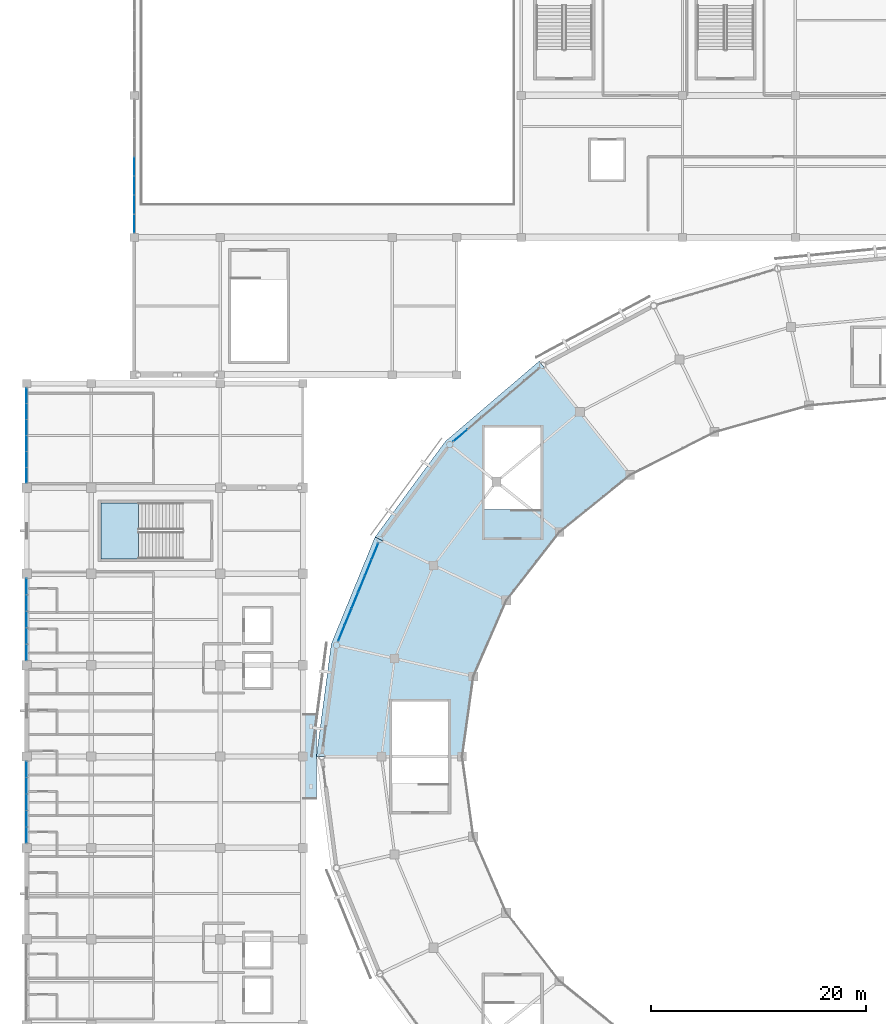
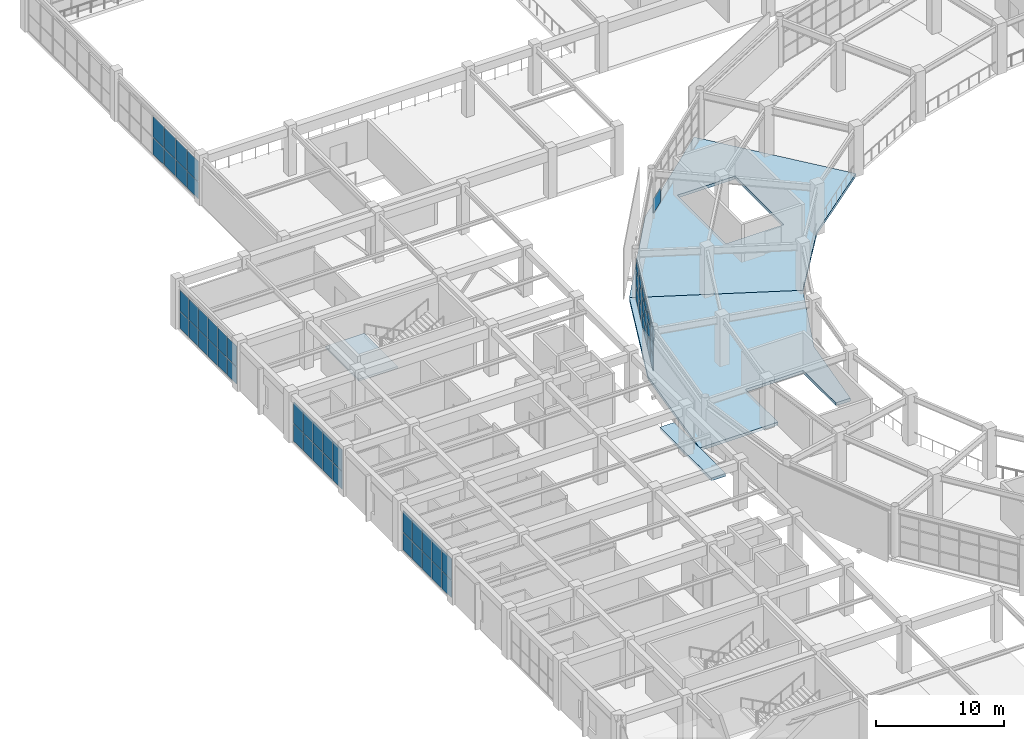
# One storey, part 70 of 112: 59 plates, 4 slabs, 7 elements without a shape of their own.
"""IFC4 building model written with IfcOpenShell, lengths in metres."""

from ifc_helpers import new_model, si_unit, direction, frame, origin, origin_2d, place, context, subcontext, project, spatial, polyline, rectangle, outline, extrude, material, layer, layer_set, type_object, element, aggregate, save


model = new_model("IFC4")

# Units and contexts
model_context = context("Model", 3, precision=1e-05, world=origin(), true_north=direction((0.0, 1.0)))
body_context = subcontext(model_context, "Body", "Model", "MODEL_VIEW")
ifc_project = project(units=[si_unit("LENGTHUNIT", "METRE"), si_unit("AREAUNIT", "SQUARE_METRE"), si_unit("VOLUMEUNIT", "CUBIC_METRE"), si_unit("PLANEANGLEUNIT", "RADIAN"), si_unit("MASSUNIT", "GRAM", prefix="KILO")], contexts=[model_context])

# Site, building, storey
site_placement = place(None, origin())
site = spatial("IfcSite", under=ifc_project, at=site_placement, CompositionType="ELEMENT")
building_placement = place(site_placement, origin())
building = spatial("IfcBuilding", under=site, at=building_placement, Name="Cuetzalor Civic Arena", CompositionType="ELEMENT")
storey_placement = place(building_placement, frame((0.0, 0.0, 11.39990234375)))
storey = spatial("IfcBuildingStorey", under=building, at=storey_placement, Name="L02", CompositionType="ELEMENT", Elevation=11.39990234375)

# Curtain wall, plate
ifc_material_1 = material(Name="Anodised dark bronze aluminium and low-E solar glass", Category="aluminium")
curtain_wall_type_1 = type_object("IfcCurtainWallType", Name="UnitisedCW_10550x4050", PredefinedType="USERDEFINED", material=ifc_material_1)
curtain_wall_1_placement = place(storey_placement, origin())
curtain_wall_1 = element("IfcCurtainWall", 1, at=curtain_wall_1_placement, inside=storey, type_object=curtain_wall_type_1, Name="Drum Triangle Foyer Curtain Wall L02-037", ObjectType="UNITISED CURTAIN WALL", PredefinedType="USERDEFINED")
ifc_material_2 = material(Name="Acoustic laminated solar control glass", Category="glass")
ifc_layer_1 = layer(ifc_material_2, 0.0439453125)
ifc_layer_set_1 = layer_set([ifc_layer_1], Name="Acoustic laminated solar control glass")
plate_type_1 = type_object("IfcPlateType", Name="AcousticTripleGlazedPanel_44", PredefinedType="CURTAIN_PANEL", material=ifc_layer_set_1)
plate_1_placement = place(storey_placement, frame((-41.655517578125, 29.87109375, 0.06494140625), z_axis=(0.0, 0.0, 1.0), x_axis=(0.760677142663, 0.64913040649, 0.0)))
plate_1 = element("IfcPlate", 2, at=plate_1_placement, type_object=plate_type_1, Name="CW-16 panel 1.1", PredefinedType="CURTAIN_PANEL", context=body_context, shape_type="SweptSolid", body=[
    extrude(rectangle(XDim=1.65771484375, YDim=0.0439453125, at=origin_2d()), origin(), (0.0, 0.0, 1.0), 1.361572265625),
])
aggregate(curtain_wall_1, [plate_1])

# Curtain wall, plates
ifc_material_3 = material(Name="Anodised dark bronze aluminium and low-E solar glass", Category="aluminium")
curtain_wall_type_2 = type_object("IfcCurtainWallType", Name="UnitisedCW_9850x4050", PredefinedType="USERDEFINED", material=ifc_material_3)
curtain_wall_2_placement = place(storey_placement, origin())
curtain_wall_2 = element("IfcCurtainWall", 3, at=curtain_wall_2_placement, inside=storey, type_object=curtain_wall_type_2, Name="Drum Triangle Foyer Curtain Wall L02-038", ObjectType="UNITISED CURTAIN WALL", PredefinedType="USERDEFINED")
plate_2_placement = place(storey_placement, frame((-52.719970703125, 11.486083984375, 0.06494140625), z_axis=(0.0, 0.0, 1.0), x_axis=(0.379391428583, 0.925236263836, 0.0)))
plate_2 = element("IfcPlate", 4, at=plate_2_placement, type_object=plate_type_1, Name="CW-17 panel 1.1", PredefinedType="CURTAIN_PANEL", context=body_context, shape_type="SweptSolid", body=[
    extrude(rectangle(XDim=1.548095703125, YDim=0.0439453125, at=origin_2d()), origin(), (0.0, 0.0, 1.0), 1.361572265625),
])
plate_3_placement = place(storey_placement, frame((-52.719970703125, 11.486083984375, 1.491455078125), z_axis=(0.0, 0.0, 1.0), x_axis=(0.379391428583, 0.925236263836, 0.0)))
plate_3 = element("IfcPlate", 5, at=plate_3_placement, type_object=plate_type_1, Name="CW-17 panel 1.2", PredefinedType="CURTAIN_PANEL", context=body_context, shape_type="SweptSolid", body=[
    extrude(rectangle(XDim=1.548095703125, YDim=0.0439453125, at=origin_2d()), origin(), (0.0, 0.0, 1.0), 1.39404296875),
])
plate_4_placement = place(storey_placement, frame((-52.719970703125, 11.486083984375, 2.950439453125), z_axis=(0.0, 0.0, 1.0), x_axis=(0.379391428583, 0.925236263836, 0.0)))
plate_4 = element("IfcPlate", 6, at=plate_4_placement, type_object=plate_type_1, Name="CW-17 panel 1.3", PredefinedType="CURTAIN_PANEL", context=body_context, shape_type="SweptSolid", body=[
    extrude(rectangle(XDim=1.548095703125, YDim=0.0439453125, at=origin_2d()), origin(), (0.0, 0.0, 1.0), 1.03759765625),
])
plate_5_placement = place(storey_placement, frame((-52.1015625, 12.993896484375, 0.06494140625), z_axis=(0.0, 0.0, 1.0), x_axis=(0.379391428583, 0.925236263836, 0.0)))
plate_5 = element("IfcPlate", 7, at=plate_5_placement, type_object=plate_type_1, Name="CW-17 panel 2.1", PredefinedType="CURTAIN_PANEL", context=body_context, shape_type="SweptSolid", body=[
    extrude(rectangle(XDim=1.580810546875, YDim=0.0439453125, at=origin_2d()), origin(), (0.0, 0.0, 1.0), 1.361572265625),
])
plate_6_placement = place(storey_placement, frame((-52.1015625, 12.993896484375, 1.491455078125), z_axis=(0.0, 0.0, 1.0), x_axis=(0.379391428583, 0.925236263836, 0.0)))
plate_6 = element("IfcPlate", 8, at=plate_6_placement, type_object=plate_type_1, Name="CW-17 panel 2.2", PredefinedType="CURTAIN_PANEL", context=body_context, shape_type="SweptSolid", body=[
    extrude(rectangle(XDim=1.580810546875, YDim=0.0439453125, at=origin_2d()), origin(), (0.0, 0.0, 1.0), 1.39404296875),
])
plate_7_placement = place(storey_placement, frame((-52.1015625, 12.993896484375, 2.950439453125), z_axis=(0.0, 0.0, 1.0), x_axis=(0.379391428583, 0.925236263836, 0.0)))
plate_7 = element("IfcPlate", 9, at=plate_7_placement, type_object=plate_type_1, Name="CW-17 panel 2.3", PredefinedType="CURTAIN_PANEL", context=body_context, shape_type="SweptSolid", body=[
    extrude(rectangle(XDim=1.580810546875, YDim=0.0439453125, at=origin_2d()), origin(), (0.0, 0.0, 1.0), 1.03759765625),
])
plate_8_placement = place(storey_placement, frame((-51.477294921875, 14.516357421875, 0.06494140625), z_axis=(0.0, 0.0, 1.0), x_axis=(0.379391428583, 0.925236263836, 0.0)))
plate_8 = element("IfcPlate", 10, at=plate_8_placement, type_object=plate_type_1, Name="CW-17 panel 3.1", PredefinedType="CURTAIN_PANEL", context=body_context, shape_type="SweptSolid", body=[
    extrude(rectangle(XDim=1.580810546875, YDim=0.0439453125, at=origin_2d()), origin(), (0.0, 0.0, 1.0), 1.361572265625),
])
plate_9_placement = place(storey_placement, frame((-51.477294921875, 14.516357421875, 1.491455078125), z_axis=(0.0, 0.0, 1.0), x_axis=(0.379391428583, 0.925236263836, 0.0)))
plate_9 = element("IfcPlate", 11, at=plate_9_placement, type_object=plate_type_1, Name="CW-17 panel 3.2", PredefinedType="CURTAIN_PANEL", context=body_context, shape_type="SweptSolid", body=[
    extrude(rectangle(XDim=1.580810546875, YDim=0.0439453125, at=origin_2d()), origin(), (0.0, 0.0, 1.0), 1.39404296875),
])
plate_10_placement = place(storey_placement, frame((-51.477294921875, 14.516357421875, 2.950439453125), z_axis=(0.0, 0.0, 1.0), x_axis=(0.379391428583, 0.925236263836, 0.0)))
plate_10 = element("IfcPlate", 12, at=plate_10_placement, type_object=plate_type_1, Name="CW-17 panel 3.3", PredefinedType="CURTAIN_PANEL", context=body_context, shape_type="SweptSolid", body=[
    extrude(rectangle(XDim=1.580810546875, YDim=0.0439453125, at=origin_2d()), origin(), (0.0, 0.0, 1.0), 1.03759765625),
])
plate_11_placement = place(storey_placement, frame((-50.85302734375, 16.0390625, 0.06494140625), z_axis=(0.0, 0.0, 1.0), x_axis=(0.379391428583, 0.925236263836, 0.0)))
plate_11 = element("IfcPlate", 13, at=plate_11_placement, type_object=plate_type_1, Name="CW-17 panel 4.1", PredefinedType="CURTAIN_PANEL", context=body_context, shape_type="SweptSolid", body=[
    extrude(rectangle(XDim=1.580810546875, YDim=0.0439453125, at=origin_2d()), origin(), (0.0, 0.0, 1.0), 1.361572265625),
])
plate_12_placement = place(storey_placement, frame((-50.85302734375, 16.0390625, 1.491455078125), z_axis=(0.0, 0.0, 1.0), x_axis=(0.379391428583, 0.925236263836, 0.0)))
plate_12 = element("IfcPlate", 14, at=plate_12_placement, type_object=plate_type_1, Name="CW-17 panel 4.2", PredefinedType="CURTAIN_PANEL", context=body_context, shape_type="SweptSolid", body=[
    extrude(rectangle(XDim=1.580810546875, YDim=0.0439453125, at=origin_2d()), origin(), (0.0, 0.0, 1.0), 1.39404296875),
])
plate_13_placement = place(storey_placement, frame((-50.85302734375, 16.0390625, 2.950439453125), z_axis=(0.0, 0.0, 1.0), x_axis=(0.379391428583, 0.925236263836, 0.0)))
plate_13 = element("IfcPlate", 15, at=plate_13_placement, type_object=plate_type_1, Name="CW-17 panel 4.3", PredefinedType="CURTAIN_PANEL", context=body_context, shape_type="SweptSolid", body=[
    extrude(rectangle(XDim=1.580810546875, YDim=0.0439453125, at=origin_2d()), origin(), (0.0, 0.0, 1.0), 1.03759765625),
])
plate_14_placement = place(storey_placement, frame((-50.228515625, 17.561767578125, 0.06494140625), z_axis=(0.0, 0.0, 1.0), x_axis=(0.379391428583, 0.925236263836, 0.0)))
plate_14 = element("IfcPlate", 16, at=plate_14_placement, type_object=plate_type_1, Name="CW-17 panel 5.1", PredefinedType="CURTAIN_PANEL", context=body_context, shape_type="SweptSolid", body=[
    extrude(rectangle(XDim=1.580810546875, YDim=0.0439453125, at=origin_2d()), origin(), (0.0, 0.0, 1.0), 1.361572265625),
])
plate_15_placement = place(storey_placement, frame((-50.228515625, 17.561767578125, 1.491455078125), z_axis=(0.0, 0.0, 1.0), x_axis=(0.379391428583, 0.925236263836, 0.0)))
plate_15 = element("IfcPlate", 17, at=plate_15_placement, type_object=plate_type_1, Name="CW-17 panel 5.2", PredefinedType="CURTAIN_PANEL", context=body_context, shape_type="SweptSolid", body=[
    extrude(rectangle(XDim=1.580810546875, YDim=0.0439453125, at=origin_2d()), origin(), (0.0, 0.0, 1.0), 1.39404296875),
])
plate_16_placement = place(storey_placement, frame((-50.228515625, 17.561767578125, 2.950439453125), z_axis=(0.0, 0.0, 1.0), x_axis=(0.379391428583, 0.925236263836, 0.0)))
plate_16 = element("IfcPlate", 18, at=plate_16_placement, type_object=plate_type_1, Name="CW-17 panel 5.3", PredefinedType="CURTAIN_PANEL", context=body_context, shape_type="SweptSolid", body=[
    extrude(rectangle(XDim=1.580810546875, YDim=0.0439453125, at=origin_2d()), origin(), (0.0, 0.0, 1.0), 1.03759765625),
])
plate_17_placement = place(storey_placement, frame((-49.6103515625, 19.0693359375, 0.06494140625), z_axis=(0.0, 0.0, 1.0), x_axis=(0.379391428583, 0.925236263836, 0.0)))
plate_17 = element("IfcPlate", 19, at=plate_17_placement, type_object=plate_type_1, Name="CW-17 panel 6.1", PredefinedType="CURTAIN_PANEL", context=body_context, shape_type="SweptSolid", body=[
    extrude(rectangle(XDim=1.548095703125, YDim=0.0439453125, at=origin_2d()), origin(), (0.0, 0.0, 1.0), 1.361572265625),
])
plate_18_placement = place(storey_placement, frame((-49.6103515625, 19.0693359375, 1.491455078125), z_axis=(0.0, 0.0, 1.0), x_axis=(0.379391428583, 0.925236263836, 0.0)))
plate_18 = element("IfcPlate", 20, at=plate_18_placement, type_object=plate_type_1, Name="CW-17 panel 6.2", PredefinedType="CURTAIN_PANEL", context=body_context, shape_type="SweptSolid", body=[
    extrude(rectangle(XDim=1.548095703125, YDim=0.0439453125, at=origin_2d()), origin(), (0.0, 0.0, 1.0), 1.39404296875),
])
plate_19_placement = place(storey_placement, frame((-49.6103515625, 19.0693359375, 2.950439453125), z_axis=(0.0, 0.0, 1.0), x_axis=(0.379391428583, 0.925236263836, 0.0)))
plate_19 = element("IfcPlate", 21, at=plate_19_placement, type_object=plate_type_1, Name="CW-17 panel 6.3", PredefinedType="CURTAIN_PANEL", context=body_context, shape_type="SweptSolid", body=[
    extrude(rectangle(XDim=1.548095703125, YDim=0.0439453125, at=origin_2d()), origin(), (0.0, 0.0, 1.0), 1.03759765625),
])
aggregate(curtain_wall_2, [plate_2, plate_3, plate_4, plate_5, plate_6, plate_7, plate_8, plate_9, plate_10, plate_11, plate_12, plate_13, plate_14, plate_15, plate_16, plate_17, plate_18, plate_19])

ifc_material_4 = material(Name="Anodised dark bronze aluminium and low-E solar glass", Category="aluminium")
curtain_wall_type_3 = type_object("IfcCurtainWallType", Name="UnitisedCW_7700x3850", PredefinedType="USERDEFINED", material=ifc_material_4)
curtain_wall_3_placement = place(storey_placement, origin())
curtain_wall_3 = element("IfcCurtainWall", 22, at=curtain_wall_3_placement, inside=storey, type_object=curtain_wall_type_3, Name="V4W Suite Viewing Curtain Wall L02-115", ObjectType="UNITISED CURTAIN WALL", PredefinedType="USERDEFINED")
plate_20_placement = place(storey_placement, frame((-82.0, -7.30810546875, 0.06494140625), z_axis=(0.0, 0.0, 1.0), x_axis=(0.0, 1.0, 0.0)))
plate_20 = element("IfcPlate", 23, at=plate_20_placement, type_object=plate_type_1, Name="CW-42 panel 1.1", PredefinedType="CURTAIN_PANEL", context=body_context, shape_type="SweptSolid", body=[
    extrude(rectangle(XDim=1.439697265625, YDim=0.0439453125, at=origin_2d()), origin(), (0.0, 0.0, 1.0), 1.639404296875),
])
plate_21_placement = place(storey_placement, frame((-82.0, -7.30810546875, 1.76953125), z_axis=(0.0, 0.0, 1.0), x_axis=(0.0, 1.0, 0.0)))
plate_21 = element("IfcPlate", 24, at=plate_21_placement, type_object=plate_type_1, Name="CW-42 panel 1.2", PredefinedType="CURTAIN_PANEL", context=body_context, shape_type="SweptSolid", body=[
    extrude(rectangle(XDim=1.439697265625, YDim=0.0439453125, at=origin_2d()), origin(), (0.0, 0.0, 1.0), 2.025390625),
])
plate_22_placement = place(storey_placement, frame((-82.0, -5.787109375, 0.06494140625), z_axis=(0.0, 0.0, 1.0), x_axis=(0.0, 1.0, 0.0)))
plate_22 = element("IfcPlate", 25, at=plate_22_placement, type_object=plate_type_1, Name="CW-42 panel 2.1", PredefinedType="CURTAIN_PANEL", context=body_context, shape_type="SweptSolid", body=[
    extrude(rectangle(XDim=1.47216796875, YDim=0.0439453125, at=origin_2d()), origin(), (0.0, 0.0, 1.0), 1.639404296875),
])
plate_23_placement = place(storey_placement, frame((-82.0, -5.787109375, 1.76953125), z_axis=(0.0, 0.0, 1.0), x_axis=(0.0, 1.0, 0.0)))
plate_23 = element("IfcPlate", 26, at=plate_23_placement, type_object=plate_type_1, Name="CW-42 panel 2.2", PredefinedType="CURTAIN_PANEL", context=body_context, shape_type="SweptSolid", body=[
    extrude(rectangle(XDim=1.47216796875, YDim=0.0439453125, at=origin_2d()), origin(), (0.0, 0.0, 1.0), 2.025390625),
])
plate_24_placement = place(storey_placement, frame((-82.0, -4.25, 0.06494140625), z_axis=(0.0, 0.0, 1.0), x_axis=(0.0, 1.0, 0.0)))
plate_24 = element("IfcPlate", 27, at=plate_24_placement, type_object=plate_type_1, Name="CW-42 panel 3.1", PredefinedType="CURTAIN_PANEL", context=body_context, shape_type="SweptSolid", body=[
    extrude(rectangle(XDim=1.47216796875, YDim=0.0439453125, at=origin_2d()), origin(), (0.0, 0.0, 1.0), 1.639404296875),
])
plate_25_placement = place(storey_placement, frame((-82.0, -4.25, 1.76953125), z_axis=(0.0, 0.0, 1.0), x_axis=(0.0, 1.0, 0.0)))
plate_25 = element("IfcPlate", 28, at=plate_25_placement, type_object=plate_type_1, Name="CW-42 panel 3.2", PredefinedType="CURTAIN_PANEL", context=body_context, shape_type="SweptSolid", body=[
    extrude(rectangle(XDim=1.47216796875, YDim=0.0439453125, at=origin_2d()), origin(), (0.0, 0.0, 1.0), 2.025390625),
])
plate_26_placement = place(storey_placement, frame((-82.0, -2.712890625, 0.06494140625), z_axis=(0.0, 0.0, 1.0), x_axis=(0.0, 1.0, 0.0)))
plate_26 = element("IfcPlate", 29, at=plate_26_placement, type_object=plate_type_1, Name="CW-42 panel 4.1", PredefinedType="CURTAIN_PANEL", context=body_context, shape_type="SweptSolid", body=[
    extrude(rectangle(XDim=1.47216796875, YDim=0.0439453125, at=origin_2d()), origin(), (0.0, 0.0, 1.0), 1.639404296875),
])
plate_27_placement = place(storey_placement, frame((-82.0, -2.712890625, 1.76953125), z_axis=(0.0, 0.0, 1.0), x_axis=(0.0, 1.0, 0.0)))
plate_27 = element("IfcPlate", 30, at=plate_27_placement, type_object=plate_type_1, Name="CW-42 panel 4.2", PredefinedType="CURTAIN_PANEL", context=body_context, shape_type="SweptSolid", body=[
    extrude(rectangle(XDim=1.47216796875, YDim=0.0439453125, at=origin_2d()), origin(), (0.0, 0.0, 1.0), 2.025390625),
])
plate_28_placement = place(storey_placement, frame((-82.0, -1.19189453125, 0.06494140625), z_axis=(0.0, 0.0, 1.0), x_axis=(0.0, 1.0, 0.0)))
plate_28 = element("IfcPlate", 31, at=plate_28_placement, type_object=plate_type_1, Name="CW-42 panel 5.1", PredefinedType="CURTAIN_PANEL", context=body_context, shape_type="SweptSolid", body=[
    extrude(rectangle(XDim=1.439697265625, YDim=0.0439453125, at=origin_2d()), origin(), (0.0, 0.0, 1.0), 1.639404296875),
])
plate_29_placement = place(storey_placement, frame((-82.0, -1.19189453125, 1.76953125), z_axis=(0.0, 0.0, 1.0), x_axis=(0.0, 1.0, 0.0)))
plate_29 = element("IfcPlate", 32, at=plate_29_placement, type_object=plate_type_1, Name="CW-42 panel 5.2", PredefinedType="CURTAIN_PANEL", context=body_context, shape_type="SweptSolid", body=[
    extrude(rectangle(XDim=1.439697265625, YDim=0.0439453125, at=origin_2d()), origin(), (0.0, 0.0, 1.0), 2.025390625),
])
aggregate(curtain_wall_3, [plate_20, plate_21, plate_22, plate_23, plate_24, plate_25, plate_26, plate_27, plate_28, plate_29])

curtain_wall_4_placement = place(storey_placement, origin())
curtain_wall_4 = element("IfcCurtainWall", 33, at=curtain_wall_4_placement, inside=storey, type_object=curtain_wall_type_3, Name="V4W Suite Viewing Curtain Wall L02-116", ObjectType="UNITISED CURTAIN WALL", PredefinedType="USERDEFINED")
plate_30_placement = place(storey_placement, frame((-82.0, 9.69189453125, 0.06494140625), z_axis=(0.0, 0.0, 1.0), x_axis=(0.0, 1.0, 0.0)))
plate_30 = element("IfcPlate", 34, at=plate_30_placement, type_object=plate_type_1, Name="CW-42 panel 1.1", PredefinedType="CURTAIN_PANEL", context=body_context, shape_type="SweptSolid", body=[
    extrude(rectangle(XDim=1.439697265625, YDim=0.0439453125, at=origin_2d()), origin(), (0.0, 0.0, 1.0), 1.639404296875),
])
plate_31_placement = place(storey_placement, frame((-82.0, 9.69189453125, 1.76953125), z_axis=(0.0, 0.0, 1.0), x_axis=(0.0, 1.0, 0.0)))
plate_31 = element("IfcPlate", 35, at=plate_31_placement, type_object=plate_type_1, Name="CW-42 panel 1.2", PredefinedType="CURTAIN_PANEL", context=body_context, shape_type="SweptSolid", body=[
    extrude(rectangle(XDim=1.439697265625, YDim=0.0439453125, at=origin_2d()), origin(), (0.0, 0.0, 1.0), 2.025390625),
])
plate_32_placement = place(storey_placement, frame((-82.0, 11.212890625, 0.06494140625), z_axis=(0.0, 0.0, 1.0), x_axis=(0.0, 1.0, 0.0)))
plate_32 = element("IfcPlate", 36, at=plate_32_placement, type_object=plate_type_1, Name="CW-42 panel 2.1", PredefinedType="CURTAIN_PANEL", context=body_context, shape_type="SweptSolid", body=[
    extrude(rectangle(XDim=1.47216796875, YDim=0.0439453125, at=origin_2d()), origin(), (0.0, 0.0, 1.0), 1.639404296875),
])
plate_33_placement = place(storey_placement, frame((-82.0, 11.212890625, 1.76953125), z_axis=(0.0, 0.0, 1.0), x_axis=(0.0, 1.0, 0.0)))
plate_33 = element("IfcPlate", 37, at=plate_33_placement, type_object=plate_type_1, Name="CW-42 panel 2.2", PredefinedType="CURTAIN_PANEL", context=body_context, shape_type="SweptSolid", body=[
    extrude(rectangle(XDim=1.47216796875, YDim=0.0439453125, at=origin_2d()), origin(), (0.0, 0.0, 1.0), 2.025390625),
])
plate_34_placement = place(storey_placement, frame((-82.0, 12.75, 0.06494140625), z_axis=(0.0, 0.0, 1.0), x_axis=(0.0, 1.0, 0.0)))
plate_34 = element("IfcPlate", 38, at=plate_34_placement, type_object=plate_type_1, Name="CW-42 panel 3.1", PredefinedType="CURTAIN_PANEL", context=body_context, shape_type="SweptSolid", body=[
    extrude(rectangle(XDim=1.47216796875, YDim=0.0439453125, at=origin_2d()), origin(), (0.0, 0.0, 1.0), 1.639404296875),
])
plate_35_placement = place(storey_placement, frame((-82.0, 12.75, 1.76953125), z_axis=(0.0, 0.0, 1.0), x_axis=(0.0, 1.0, 0.0)))
plate_35 = element("IfcPlate", 39, at=plate_35_placement, type_object=plate_type_1, Name="CW-42 panel 3.2", PredefinedType="CURTAIN_PANEL", context=body_context, shape_type="SweptSolid", body=[
    extrude(rectangle(XDim=1.47216796875, YDim=0.0439453125, at=origin_2d()), origin(), (0.0, 0.0, 1.0), 2.025390625),
])
plate_36_placement = place(storey_placement, frame((-82.0, 14.287109375, 0.06494140625), z_axis=(0.0, 0.0, 1.0), x_axis=(0.0, 1.0, 0.0)))
plate_36 = element("IfcPlate", 40, at=plate_36_placement, type_object=plate_type_1, Name="CW-42 panel 4.1", PredefinedType="CURTAIN_PANEL", context=body_context, shape_type="SweptSolid", body=[
    extrude(rectangle(XDim=1.47216796875, YDim=0.0439453125, at=origin_2d()), origin(), (0.0, 0.0, 1.0), 1.639404296875),
])
plate_37_placement = place(storey_placement, frame((-82.0, 14.287109375, 1.76953125), z_axis=(0.0, 0.0, 1.0), x_axis=(0.0, 1.0, 0.0)))
plate_37 = element("IfcPlate", 41, at=plate_37_placement, type_object=plate_type_1, Name="CW-42 panel 4.2", PredefinedType="CURTAIN_PANEL", context=body_context, shape_type="SweptSolid", body=[
    extrude(rectangle(XDim=1.47216796875, YDim=0.0439453125, at=origin_2d()), origin(), (0.0, 0.0, 1.0), 2.025390625),
])
plate_38_placement = place(storey_placement, frame((-82.0, 15.80810546875, 0.06494140625), z_axis=(0.0, 0.0, 1.0), x_axis=(0.0, 1.0, 0.0)))
plate_38 = element("IfcPlate", 42, at=plate_38_placement, type_object=plate_type_1, Name="CW-42 panel 5.1", PredefinedType="CURTAIN_PANEL", context=body_context, shape_type="SweptSolid", body=[
    extrude(rectangle(XDim=1.439697265625, YDim=0.0439453125, at=origin_2d()), origin(), (0.0, 0.0, 1.0), 1.639404296875),
])
plate_39_placement = place(storey_placement, frame((-82.0, 15.80810546875, 1.76953125), z_axis=(0.0, 0.0, 1.0), x_axis=(0.0, 1.0, 0.0)))
plate_39 = element("IfcPlate", 43, at=plate_39_placement, type_object=plate_type_1, Name="CW-42 panel 5.2", PredefinedType="CURTAIN_PANEL", context=body_context, shape_type="SweptSolid", body=[
    extrude(rectangle(XDim=1.439697265625, YDim=0.0439453125, at=origin_2d()), origin(), (0.0, 0.0, 1.0), 2.025390625),
])
aggregate(curtain_wall_4, [plate_30, plate_31, plate_32, plate_33, plate_34, plate_35, plate_36, plate_37, plate_38, plate_39])

ifc_material_5 = material(Name="Anodised dark bronze aluminium and low-E solar glass", Category="aluminium")
curtain_wall_type_4 = type_object("IfcCurtainWallType", Name="UnitisedCW_8950x3750", PredefinedType="USERDEFINED", material=ifc_material_5)
curtain_wall_5_placement = place(storey_placement, origin())
curtain_wall_5 = element("IfcCurtainWall", 44, at=curtain_wall_5_placement, inside=storey, type_object=curtain_wall_type_4, Name="V4W Suite Viewing Curtain Wall L02-117", ObjectType="UNITISED CURTAIN WALL", PredefinedType="USERDEFINED")
plate_40_placement = place(storey_placement, frame((-82.0, 26.16796875, 0.06494140625), z_axis=(0.0, 0.0, 1.0), x_axis=(0.0, 1.0, 0.0)))
plate_40 = element("IfcPlate", 45, at=plate_40_placement, type_object=plate_type_1, Name="CW-43 panel 1.1", PredefinedType="CURTAIN_PANEL", context=body_context, shape_type="SweptSolid", body=[
    extrude(rectangle(XDim=1.391845703125, YDim=0.0439453125, at=origin_2d()), origin(), (0.0, 0.0, 1.0), 1.594482421875),
])
plate_41_placement = place(storey_placement, frame((-82.0, 26.16796875, 1.724609375), z_axis=(0.0, 0.0, 1.0), x_axis=(0.0, 1.0, 0.0)))
plate_41 = element("IfcPlate", 46, at=plate_41_placement, type_object=plate_type_1, Name="CW-43 panel 1.2", PredefinedType="CURTAIN_PANEL", context=body_context, shape_type="SweptSolid", body=[
    extrude(rectangle(XDim=1.391845703125, YDim=0.0439453125, at=origin_2d()), origin(), (0.0, 0.0, 1.0), 1.970458984375),
])
plate_42_placement = place(storey_placement, frame((-82.0, 27.64111328125, 0.06494140625), z_axis=(0.0, 0.0, 1.0), x_axis=(0.0, 1.0, 0.0)))
plate_42 = element("IfcPlate", 47, at=plate_42_placement, type_object=plate_type_1, Name="CW-43 panel 2.1", PredefinedType="CURTAIN_PANEL", context=body_context, shape_type="SweptSolid", body=[
    extrude(rectangle(XDim=1.42431640625, YDim=0.0439453125, at=origin_2d()), origin(), (0.0, 0.0, 1.0), 1.594482421875),
])
plate_43_placement = place(storey_placement, frame((-82.0, 27.64111328125, 1.724609375), z_axis=(0.0, 0.0, 1.0), x_axis=(0.0, 1.0, 0.0)))
plate_43 = element("IfcPlate", 48, at=plate_43_placement, type_object=plate_type_1, Name="CW-43 panel 2.2", PredefinedType="CURTAIN_PANEL", context=body_context, shape_type="SweptSolid", body=[
    extrude(rectangle(XDim=1.42431640625, YDim=0.0439453125, at=origin_2d()), origin(), (0.0, 0.0, 1.0), 1.970458984375),
])
plate_44_placement = place(storey_placement, frame((-82.0, 29.13037109375, 0.06494140625), z_axis=(0.0, 0.0, 1.0), x_axis=(0.0, 1.0, 0.0)))
plate_44 = element("IfcPlate", 49, at=plate_44_placement, type_object=plate_type_1, Name="CW-43 panel 3.1", PredefinedType="CURTAIN_PANEL", context=body_context, shape_type="SweptSolid", body=[
    extrude(rectangle(XDim=1.42431640625, YDim=0.0439453125, at=origin_2d()), origin(), (0.0, 0.0, 1.0), 1.594482421875),
])
plate_45_placement = place(storey_placement, frame((-82.0, 29.13037109375, 1.724609375), z_axis=(0.0, 0.0, 1.0), x_axis=(0.0, 1.0, 0.0)))
plate_45 = element("IfcPlate", 50, at=plate_45_placement, type_object=plate_type_1, Name="CW-43 panel 3.2", PredefinedType="CURTAIN_PANEL", context=body_context, shape_type="SweptSolid", body=[
    extrude(rectangle(XDim=1.42431640625, YDim=0.0439453125, at=origin_2d()), origin(), (0.0, 0.0, 1.0), 1.970458984375),
])
plate_46_placement = place(storey_placement, frame((-82.0, 30.61962890625, 0.06494140625), z_axis=(0.0, 0.0, 1.0), x_axis=(0.0, 1.0, 0.0)))
plate_46 = element("IfcPlate", 51, at=plate_46_placement, type_object=plate_type_1, Name="CW-43 panel 4.1", PredefinedType="CURTAIN_PANEL", context=body_context, shape_type="SweptSolid", body=[
    extrude(rectangle(XDim=1.42431640625, YDim=0.0439453125, at=origin_2d()), origin(), (0.0, 0.0, 1.0), 1.594482421875),
])
plate_47_placement = place(storey_placement, frame((-82.0, 30.61962890625, 1.724609375), z_axis=(0.0, 0.0, 1.0), x_axis=(0.0, 1.0, 0.0)))
plate_47 = element("IfcPlate", 52, at=plate_47_placement, type_object=plate_type_1, Name="CW-43 panel 4.2", PredefinedType="CURTAIN_PANEL", context=body_context, shape_type="SweptSolid", body=[
    extrude(rectangle(XDim=1.42431640625, YDim=0.0439453125, at=origin_2d()), origin(), (0.0, 0.0, 1.0), 1.970458984375),
])
plate_48_placement = place(storey_placement, frame((-82.0, 32.10888671875, 0.06494140625), z_axis=(0.0, 0.0, 1.0), x_axis=(0.0, 1.0, 0.0)))
plate_48 = element("IfcPlate", 53, at=plate_48_placement, type_object=plate_type_1, Name="CW-43 panel 5.1", PredefinedType="CURTAIN_PANEL", context=body_context, shape_type="SweptSolid", body=[
    extrude(rectangle(XDim=1.42431640625, YDim=0.0439453125, at=origin_2d()), origin(), (0.0, 0.0, 1.0), 1.594482421875),
])
plate_49_placement = place(storey_placement, frame((-82.0, 32.10888671875, 1.724609375), z_axis=(0.0, 0.0, 1.0), x_axis=(0.0, 1.0, 0.0)))
plate_49 = element("IfcPlate", 54, at=plate_49_placement, type_object=plate_type_1, Name="CW-43 panel 5.2", PredefinedType="CURTAIN_PANEL", context=body_context, shape_type="SweptSolid", body=[
    extrude(rectangle(XDim=1.42431640625, YDim=0.0439453125, at=origin_2d()), origin(), (0.0, 0.0, 1.0), 1.970458984375),
])
plate_50_placement = place(storey_placement, frame((-82.0, 33.58203125, 0.06494140625), z_axis=(0.0, 0.0, 1.0), x_axis=(0.0, 1.0, 0.0)))
plate_50 = element("IfcPlate", 55, at=plate_50_placement, type_object=plate_type_1, Name="CW-43 panel 6.1", PredefinedType="CURTAIN_PANEL", context=body_context, shape_type="SweptSolid", body=[
    extrude(rectangle(XDim=1.391845703125, YDim=0.0439453125, at=origin_2d()), origin(), (0.0, 0.0, 1.0), 1.594482421875),
])
plate_51_placement = place(storey_placement, frame((-82.0, 33.58203125, 1.724609375), z_axis=(0.0, 0.0, 1.0), x_axis=(0.0, 1.0, 0.0)))
plate_51 = element("IfcPlate", 56, at=plate_51_placement, type_object=plate_type_1, Name="CW-43 panel 6.2", PredefinedType="CURTAIN_PANEL", context=body_context, shape_type="SweptSolid", body=[
    extrude(rectangle(XDim=1.391845703125, YDim=0.0439453125, at=origin_2d()), origin(), (0.0, 0.0, 1.0), 1.970458984375),
])
aggregate(curtain_wall_5, [plate_40, plate_41, plate_42, plate_43, plate_44, plate_45, plate_46, plate_47, plate_48, plate_49, plate_50, plate_51])

# Slab
ifc_material_6 = material(Name="Concrete C40/50", Category="concrete")
ifc_layer_2 = layer(ifc_material_6, 0.260009765625)
ifc_layer_set_2 = layer_set([ifc_layer_2], Name="Concrete C40/50")
slab_type_1 = type_object("IfcSlabType", Name="BridgeDeckSlab_260", PredefinedType="FLOOR", material=ifc_layer_set_2)
slab_1_placement = place(storey_placement, frame((0.0, 0.0, -0.260009765625)))
element("IfcSlab", 57, at=slab_1_placement, inside=storey, type_object=slab_type_1, Name="Seismic Joint Circulation Bridge V4W L02", PredefinedType="FLOOR", context=body_context, shape_type="SweptSolid", body=[
    extrude(outline(polyline([(-56.320068359375, -4.0), (-55.030029296875, -4.0), (-55.030029296875, 4.0), (-56.320068359375, 4.0), (-56.320068359375, -4.0)])), origin(), (0.0, 0.0, 1.0), 0.260009765625),
])

# Curtain wall, plates
ifc_material_7 = material(Name="Anodised dark bronze aluminium and low-E solar glass", Category="aluminium")
curtain_wall_type_5 = type_object("IfcCurtainWallType", Name="StickCW_12500x3700", PredefinedType="USERDEFINED", material=ifc_material_7)
curtain_wall_6_placement = place(storey_placement, origin())
curtain_wall_6 = element("IfcCurtainWall", 58, at=curtain_wall_6_placement, inside=storey, type_object=curtain_wall_type_5, Name="Practice Court West Clerestory Curtain Wall L02-161", ObjectType="STICK CURTAIN WALL", PredefinedType="USERDEFINED")
ifc_material_8 = material(Name="Low-E laminated solar control glass", Category="glass")
ifc_layer_3 = layer(ifc_material_8, 0.031982421875)
ifc_layer_set_3 = layer_set([ifc_layer_3], Name="Low-E laminated solar control glass")
plate_type_2 = type_object("IfcPlateType", Name="SolarControlGlazedPanel_32", PredefinedType="CURTAIN_PANEL", material=ifc_layer_set_3)
plate_52_placement = place(storey_placement, frame((-72.0, 49.565185546875, 0.06494140625), z_axis=(0.0, 0.0, 1.0), x_axis=(0.0, 1.0, 0.0)))
plate_52 = element("IfcPlate", 59, at=plate_52_placement, type_object=plate_type_2, Name="CW-54 panel 1.1", PredefinedType="CURTAIN_PANEL", context=body_context, shape_type="SweptSolid", body=[
    extrude(rectangle(XDim=1.686279296875, YDim=0.031982421875, at=origin_2d()), origin(), (0.0, 0.0, 1.0), 1.576416015625),
])
plate_53_placement = place(storey_placement, frame((-72.0, 49.565185546875, 1.70654296875), z_axis=(0.0, 0.0, 1.0), x_axis=(0.0, 1.0, 0.0)))
plate_53 = element("IfcPlate", 60, at=plate_53_placement, type_object=plate_type_2, Name="CW-54 panel 1.2", PredefinedType="CURTAIN_PANEL", context=body_context, shape_type="SweptSolid", body=[
    extrude(rectangle(XDim=1.686279296875, YDim=0.031982421875, at=origin_2d()), origin(), (0.0, 0.0, 1.0), 1.948486328125),
])
plate_54_placement = place(storey_placement, frame((-72.0, 51.33251953125, 0.06494140625), z_axis=(0.0, 0.0, 1.0), x_axis=(0.0, 1.0, 0.0)))
plate_54 = element("IfcPlate", 61, at=plate_54_placement, type_object=plate_type_2, Name="CW-54 panel 2.1", PredefinedType="CURTAIN_PANEL", context=body_context, shape_type="SweptSolid", body=[
    extrude(rectangle(XDim=1.71875, YDim=0.031982421875, at=origin_2d()), origin(), (0.0, 0.0, 1.0), 1.576416015625),
])
plate_55_placement = place(storey_placement, frame((-72.0, 51.33251953125, 1.70654296875), z_axis=(0.0, 0.0, 1.0), x_axis=(0.0, 1.0, 0.0)))
plate_55 = element("IfcPlate", 62, at=plate_55_placement, type_object=plate_type_2, Name="CW-54 panel 2.2", PredefinedType="CURTAIN_PANEL", context=body_context, shape_type="SweptSolid", body=[
    extrude(rectangle(XDim=1.71875, YDim=0.031982421875, at=origin_2d()), origin(), (0.0, 0.0, 1.0), 1.948486328125),
])
plate_56_placement = place(storey_placement, frame((-72.0, 53.1162109375, 0.06494140625), z_axis=(0.0, 0.0, 1.0), x_axis=(0.0, 1.0, 0.0)))
plate_56 = element("IfcPlate", 63, at=plate_56_placement, type_object=plate_type_2, Name="CW-54 panel 3.1", PredefinedType="CURTAIN_PANEL", context=body_context, shape_type="SweptSolid", body=[
    extrude(rectangle(XDim=1.71875, YDim=0.031982421875, at=origin_2d()), origin(), (0.0, 0.0, 1.0), 1.576416015625),
])
plate_57_placement = place(storey_placement, frame((-72.0, 53.1162109375, 1.70654296875), z_axis=(0.0, 0.0, 1.0), x_axis=(0.0, 1.0, 0.0)))
plate_57 = element("IfcPlate", 64, at=plate_57_placement, type_object=plate_type_2, Name="CW-54 panel 3.2", PredefinedType="CURTAIN_PANEL", context=body_context, shape_type="SweptSolid", body=[
    extrude(rectangle(XDim=1.71875, YDim=0.031982421875, at=origin_2d()), origin(), (0.0, 0.0, 1.0), 1.948486328125),
])
plate_58_placement = place(storey_placement, frame((-72.0, 54.89990234375, 0.06494140625), z_axis=(0.0, 0.0, 1.0), x_axis=(0.0, 1.0, 0.0)))
plate_58 = element("IfcPlate", 65, at=plate_58_placement, type_object=plate_type_2, Name="CW-54 panel 4.1", PredefinedType="CURTAIN_PANEL", context=body_context, shape_type="SweptSolid", body=[
    extrude(rectangle(XDim=1.71875, YDim=0.031982421875, at=origin_2d()), origin(), (0.0, 0.0, 1.0), 1.576416015625),
])
plate_59_placement = place(storey_placement, frame((-72.0, 54.89990234375, 1.70654296875), z_axis=(0.0, 0.0, 1.0), x_axis=(0.0, 1.0, 0.0)))
plate_59 = element("IfcPlate", 66, at=plate_59_placement, type_object=plate_type_2, Name="CW-54 panel 4.2", PredefinedType="CURTAIN_PANEL", context=body_context, shape_type="SweptSolid", body=[
    extrude(rectangle(XDim=1.71875, YDim=0.031982421875, at=origin_2d()), origin(), (0.0, 0.0, 1.0), 1.948486328125),
])
aggregate(curtain_wall_6, [plate_52, plate_53, plate_54, plate_55, plate_56, plate_57, plate_58, plate_59])

# Stair, slab
ifc_material_9 = material(Name="Precast concrete C40/50", Category="concrete")
stair_type = type_object("IfcStairType", Name="EnclosedExitStair_H480", PredefinedType="HALF_TURN_STAIR", material=ifc_material_9)
stair_placement = place(storey_placement, origin())
stair = element("IfcStair", 67, at=stair_placement, inside=storey, type_object=stair_type, Name="L02 Enclosed Exit Stair ST-17", PredefinedType="HALF_TURN_STAIR")
ifc_material_10 = material(Name="Concrete C40/50", Category="concrete")
ifc_layer_4 = layer(ifc_material_10, 0.199951171875)
ifc_layer_set_4 = layer_set([ifc_layer_4], Name="Concrete C40/50")
slab_type_2 = type_object("IfcSlabType", Name="StairHalfLandingSlab_200", PredefinedType="LANDING", material=ifc_layer_set_4)
slab_2_placement = place(storey_placement, frame((0.0, 0.0, 2.2001953125)))
slab_2 = element("IfcSlab", 68, at=slab_2_placement, type_object=slab_type_2, Name="ST-17 landing 1", PredefinedType="LANDING", context=body_context, shape_type="SweptSolid", body=[
    extrude(outline(polyline([(-71.583984375, 23.60009765625), (-75.10009765625, 23.60009765625), (-75.10009765625, 18.39990234375), (-71.583984375, 18.39990234375), (-71.583984375, 23.60009765625)])), origin(), (0.0, 0.0, 1.0), 0.199951171875),
])
aggregate(stair, [slab_2])

# Slabs
ifc_material_11 = material(Name="Concrete C35/45", Category="concrete")
ifc_layer_5 = layer(ifc_material_11, 0.280029296875)
ifc_layer_set_5 = layer_set([ifc_layer_5], Name="Concrete C35/45")
slab_type_3 = type_object("IfcSlabType", Name="SuspendedFloorSlab_280", PredefinedType="FLOOR", material=ifc_layer_set_5)
slab_3_placement = place(storey_placement, frame((0.0, 0.0, -0.27978515625)))
element("IfcSlab", 69, at=slab_3_placement, inside=storey, type_object=slab_type_3, Name="Arena Concourse Sector Slab L02-06", PredefinedType="FLOOR", context=body_context, shape_type="SweptSolid", body=[
    extrude(outline(polyline([(-32.446044921875, 20.886962890625), (-37.39013671875, 14.53515625), (-49.598388671875, 20.414306640625), (-43.039794921875, 29.335205078125), (-34.322998046875, 36.78515625), (-25.874755859375, 26.19140625), (-32.446044921875, 20.886962890625)]), holes=[polyline([(-34.199951171875, 23.0), (-34.199951171875, 30.60009765625), (-39.39990234375, 30.60009765625), (-39.39990234375, 23.0), (-34.199951171875, 23.0)])]), origin(), (0.0, 0.0, 1.0), 0.27978515625),
])
slab_4_placement = place(storey_placement, frame((0.0, 0.0, -0.27978515625)))
element("IfcSlab", 70, at=slab_4_placement, inside=storey, type_object=slab_type_3, Name="Arena Concourse Sector Slab L02-07", PredefinedType="FLOOR", context=body_context, shape_type="SweptSolid", body=[
    extrude(outline(polyline([(-40.45947265625, 7.45458984375), (-41.5, 0.0), (-42.800048828125, 0.0), (-42.800048828125, 5.10009765625), (-48.0, 5.10009765625), (-48.0, 0.0), (-55.050048828125, 0.0), (-53.669921875, 10.469482421875), (-49.598388671875, 20.414306640625), (-37.39013671875, 14.53515625), (-40.45947265625, 7.45458984375)])), origin(), (0.0, 0.0, 1.0), 0.27978515625),
])

save(model, "model.ifc")
